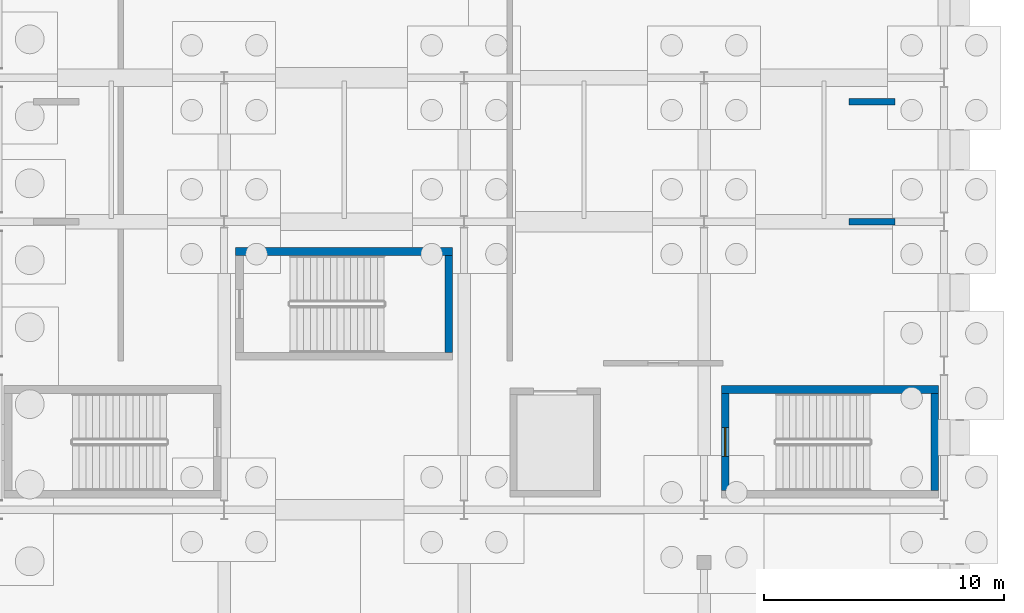
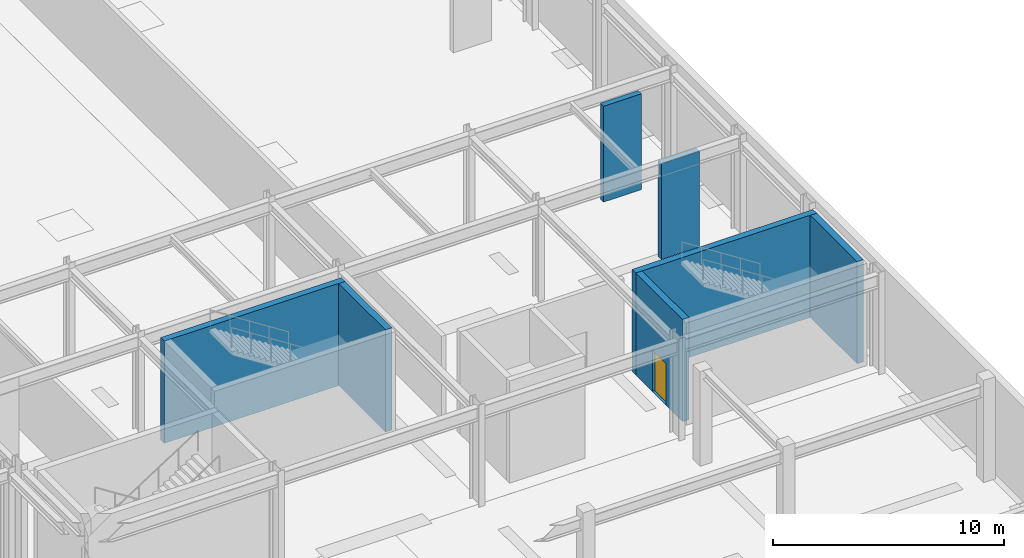
# One storey, part 47 of 65: 7 walls, 1 door, 1 opening.
"""IFC4 building model written with IfcOpenShell, lengths in metres."""

import ifcopenshell
import ifcopenshell.guid

model = None  # the IFC model being written
_history = None  # IfcOwnerHistory: only IFC2X3 demands one
_inside = {}  # id of a spatial element -> (the spatial element, [elements in it])
_under = {}  # id of a project, library or spatial element -> (it, [spatial elements below it])
_declared = {}  # id of a project -> (the project, [libraries it declares])
_typed = {}  # id of a type object -> (the type object, [elements of that type])
_made_of = {}  # id of a material, layer set ... -> (it, [elements and type objects made of it])


def new_model(schema):
    """Start an empty IFC model of exactly this schema.

    Asked for "IFC4X3", IfcOpenShell would pick the latest addendum, in which some entities
    have other attributes; the version numbers below select the first issue.
    IFC2X3 requires an IfcOwnerHistory on every rooted entity: one is made here for all.
    """
    global model, _history
    if schema == "IFC4X3":
        model = ifcopenshell.file(schema_version=(4, 3, 0, 0))
    else:
        model = ifcopenshell.file(schema=schema)
    _inside.clear()
    _under.clear()
    _declared.clear()
    _typed.clear()
    _made_of.clear()
    _history = None
    if model.schema == "IFC2X3":
        org = make("IfcOrganization", Name="unknown")
        user = make(
            "IfcPersonAndOrganization",
            ThePerson=make("IfcPerson", FamilyName="unknown"),
            TheOrganization=org,
        )
        app = make(
            "IfcApplication",
            ApplicationDeveloper=org,
            Version="unknown",
            ApplicationFullName="unknown",
            ApplicationIdentifier="unknown",
        )
        _history = make(
            "IfcOwnerHistory",
            OwningUser=user,
            OwningApplication=app,
            ChangeAction="ADDED",
            CreationDate=0,
        )
    return model


def make(cls, **values):
    """One entity of the class cls with the attributes given. An attribute that is None is left unset."""
    return model.create_entity(
        cls, **{name: value for name, value in values.items() if value is not None}
    )


def rooted(cls, **values):
    """An entity with a GlobalId (a new one), such as an element, a storey or a relation."""
    return make(cls, GlobalId=ifcopenshell.guid.new(), OwnerHistory=_history, **values)


def si_unit(unit_type, name, prefix=None):
    """IfcSIUnit, for example si_unit("LENGTHUNIT", "METRE", prefix="MILLI")."""
    return make("IfcSIUnit", UnitType=unit_type, Prefix=prefix, Name=name)


def assignment(units):
    """IfcUnitAssignment: the units of a project."""
    return None if units is None else make("IfcUnitAssignment", Units=units)


def point(xyz):
    """IfcCartesianPoint."""
    return None if xyz is None else make("IfcCartesianPoint", Coordinates=xyz)


def direction(xyz):
    """IfcDirection."""
    return None if xyz is None else make("IfcDirection", DirectionRatios=xyz)


def frame(location, z_axis=None, x_axis=None):
    """IfcAxis2Placement3D, a coordinate frame: its origin and axes. An axis left out is left unset."""
    return make(
        "IfcAxis2Placement3D",
        Location=point(location),
        Axis=direction(z_axis),
        RefDirection=direction(x_axis),
    )


def frame_2d(location, x_axis=None):
    """IfcAxis2Placement2D, a coordinate frame in the plane: its origin and x axis."""
    return make(
        "IfcAxis2Placement2D", Location=point(location), RefDirection=direction(x_axis)
    )


def origin():
    """The frame at (0, 0, 0) with its axes left unset."""
    return frame((0.0, 0.0, 0.0))


def place(relative_to, where):
    """IfcLocalPlacement: puts the frame where relative to a parent placement (None: the world)."""
    return make(
        "IfcLocalPlacement", PlacementRelTo=relative_to, RelativePlacement=where
    )


def context(
    kind, dimensions, precision=None, world=None, true_north=None, identifier=None
):
    """IfcGeometricRepresentationContext, for example the 3D "Model" context."""
    return make(
        "IfcGeometricRepresentationContext",
        ContextIdentifier=identifier,
        ContextType=kind,
        CoordinateSpaceDimension=dimensions,
        Precision=precision,
        WorldCoordinateSystem=world,
        TrueNorth=true_north,
    )


def subcontext(parent, identifier, kind, view, scale=None):
    """IfcGeometricRepresentationSubContext, for example "Body" below "Model"."""
    return make(
        "IfcGeometricRepresentationSubContext",
        ContextIdentifier=identifier,
        ContextType=kind,
        ParentContext=parent,
        TargetScale=scale,
        TargetView=view,
    )


def project(units=None, contexts=None):
    """IfcProject with its units and contexts."""
    return rooted(
        "IfcProject",
        Name="project",
        RepresentationContexts=contexts,
        UnitsInContext=assignment(units),
    )


def spatial(cls, under=None, at=None, **own):
    """A site, building, storey or space (cls), placed at a placement, below another one or the project."""
    s = rooted(cls, ObjectPlacement=at, **own)
    if under is not None:
        _under.setdefault(under.id(), (under, []))[1].append(s)
    return s


def profile(cls, at=None, kind="AREA", **sizes):
    """A parametric profile (cls). Its sizes go by their IFC names, for example OverallWidth=200.0."""
    return make(cls, ProfileType=kind, Position=at, **sizes)


def rectangle(**sizes):
    """IfcRectangleProfileDef."""
    return profile("IfcRectangleProfileDef", **sizes)


def extrude(swept, where, along, depth):
    """IfcExtrudedAreaSolid: the profile swept, set in the frame where, extruded along a direction by depth."""
    return make(
        "IfcExtrudedAreaSolid",
        SweptArea=swept,
        Position=where,
        ExtrudedDirection=direction(along),
        Depth=depth,
    )


def shape(context_of_items, identifier, shape_type, items):
    """IfcShapeRepresentation: the items that make up one representation, for example the "Body"."""
    return make(
        "IfcShapeRepresentation",
        ContextOfItems=context_of_items,
        RepresentationIdentifier=identifier,
        RepresentationType=shape_type,
        Items=items,
    )


def material(Name=None, Category=None):
    """IfcMaterial."""
    return make("IfcMaterial", Name=Name, Category=Category)


def layer(
    of_material, thickness, ventilated=None, Name=None, Category=None, Priority=None
):
    """IfcMaterialLayer: one layer of a wall or slab, of a material (None: an air gap)."""
    return make(
        "IfcMaterialLayer",
        Material=of_material,
        LayerThickness=thickness,
        IsVentilated=ventilated,
        Name=Name,
        Category=Category,
        Priority=Priority,
    )


def layer_set(layers, Name=None):
    """IfcMaterialLayerSet."""
    return make("IfcMaterialLayerSet", MaterialLayers=layers, LayerSetName=Name)


def made_of(thing, what):
    """Note that an element or type object is made of a material, layer set ...; save() writes the relation."""
    if what is not None:
        _made_of.setdefault(what.id(), (what, []))[1].append(thing)
    return thing


def type_object(cls, material=None, **own):
    """A type object (cls), such as IfcWallType, which elements share."""
    return made_of(rooted(cls, **own), material)


def element(
    cls,
    number,
    at=None,
    inside=None,
    cuts=None,
    type_object=None,
    material=None,
    context=None,
    identifier="Body",
    shape_type=None,
    held_by="IfcProductDefinitionShape",
    body=None,
    shapes=None,
    **own,
):
    """One element of the class cls, such as IfcWall. Its Tag is "e" and its number.

    at: its placement. inside: the storey or other place that contains it. cuts: it is an
    opening in that element (IfcRelVoidsElement). A single representation is given by context,
    identifier, shape_type and body (its items); several are given by shapes. held_by: the class
    of the entity that holds the representations. save() writes the other relations.
    """
    e = rooted(cls, Tag="e%d" % number, ObjectPlacement=at, **own)
    if body is not None:
        shapes = [shape(context, identifier, shape_type, body)]
    if shapes is not None:
        e.Representation = make(held_by, Representations=shapes)
    if inside is not None:
        _inside.setdefault(inside.id(), (inside, []))[1].append(e)
    if cuts is not None:
        rooted(
            "IfcRelVoidsElement", RelatingBuildingElement=cuts, RelatedOpeningElement=e
        )
    if type_object is not None:
        _typed.setdefault(type_object.id(), (type_object, []))[1].append(e)
    return made_of(e, material)


def fill(opening, filler):
    """IfcRelFillsElement: the door or window that sits in an opening."""
    return rooted(
        "IfcRelFillsElement",
        RelatingOpeningElement=opening,
        RelatedBuildingElement=filler,
    )


def aggregate(whole, parts):
    """IfcRelAggregates: a whole, such as a stair, and the parts it consists of."""
    return rooted("IfcRelAggregates", RelatingObject=whole, RelatedObjects=parts)


def save(model, path):
    """Write the relations noted so far, then the file.

    IfcRelAggregates (storeys below a building ...), IfcRelContainedInSpatialStructure (elements
    in a storey), IfcRelDefinesByType, IfcRelAssociatesMaterial and IfcRelDeclares: one each for
    every whole, place, type object, material and project.
    """
    for whole, parts in _under.values():
        aggregate(whole, parts)
    for where, things in _inside.values():
        rooted(
            "IfcRelContainedInSpatialStructure",
            RelatedElements=things,
            RelatingStructure=where,
        )
    for kind, things in _typed.values():
        rooted("IfcRelDefinesByType", RelatedObjects=things, RelatingType=kind)
    for what, things in _made_of.values():
        rooted("IfcRelAssociatesMaterial", RelatedObjects=things, RelatingMaterial=what)
    for by, libraries in _declared.values():
        rooted("IfcRelDeclares", RelatingContext=by, RelatedDefinitions=libraries)
    model.write(path)


model = new_model("IFC4")

# Units and contexts
model_context = context("Model", 3, precision=1e-05, world=origin(), true_north=direction((0.0, 1.0)))
body_context = subcontext(model_context, "Body", "Model", "MODEL_VIEW")
ifc_project = project(units=[si_unit("LENGTHUNIT", "METRE"), si_unit("AREAUNIT", "SQUARE_METRE"), si_unit("VOLUMEUNIT", "CUBIC_METRE"), si_unit("PLANEANGLEUNIT", "RADIAN"), si_unit("MASSUNIT", "GRAM", prefix="KILO")], contexts=[model_context])

# Site, building, storey
site_placement = place(None, origin())
site = spatial("IfcSite", under=ifc_project, at=site_placement, CompositionType="ELEMENT")
building_placement = place(site_placement, origin())
building = spatial("IfcBuilding", under=site, at=building_placement, Name="Kaldris Quays Convention Centre", CompositionType="ELEMENT")
storey_placement = place(building_placement, frame((0.0, 0.0, -5.39990234375)))
storey = spatial("IfcBuildingStorey", under=building, at=storey_placement, Name="B1", CompositionType="ELEMENT", Elevation=-5.39990234375)

# Wall
ifc_material_1 = material(Name="Concrete C40/50", Category="concrete")
ifc_layer_1 = layer(ifc_material_1, 0.320068359375)
ifc_layer_set_1 = layer_set([ifc_layer_1], Name="Concrete C40/50")
wall_type_1 = type_object("IfcWallType", Name="STRUCTURAL WALL SW02", PredefinedType="SHEAR", material=ifc_layer_set_1)
wall_1_placement = place(storey_placement, frame((194.72998046875, 61.010009765625, 0.0), z_axis=(0.0, 0.0, 1.0), x_axis=(1.0, 0.0, 0.0)))
element("IfcWall", 1, at=wall_1_placement, inside=storey, type_object=wall_type_1, Name="B1 Core Shear Wall CORE-ST09-B1-N", PredefinedType="SHEAR", context=body_context, shape_type="SweptSolid", body=[
    extrude(rectangle(XDim=9.0400390625, YDim=0.320068359375, at=frame_2d((4.52001953125, 0.0))), origin(), (0.0, 0.0, 1.0), 5.39990234375),
])

# Wall, opening, door
wall_2_placement = place(storey_placement, frame((194.889892578125, 56.800048828125, 0.0), z_axis=(0.0, 0.0, 1.0), x_axis=(0.0, 1.0, 0.0)))
wall_2 = element("IfcWall", 2, at=wall_2_placement, inside=storey, type_object=wall_type_1, Name="B1 Core Shear Wall CORE-ST09-B1-W", PredefinedType="SHEAR", context=body_context, shape_type="SweptSolid", body=[
    extrude(rectangle(XDim=4.050048828125, YDim=0.320068359375, at=frame_2d((2.02490234375, 0.0))), origin(), (0.0, 0.0, 1.0), 5.39990234375),
])
opening_placement = place(wall_2_placement, frame((1.425048828125, 0.0, 0.0)))
opening = element("IfcOpeningElement", 3, at=opening_placement, cuts=wall_2, Name="Opening ID03", PredefinedType="OPENING", context=body_context, shape_type="SweptSolid", body=[
    extrude(rectangle(XDim=1.199951171875, YDim=2.199951171875, at=frame_2d((0.60009765625, 1.10009765625))), frame((0.0, 0.169921875, 0.0), z_axis=(0.0, -1.0, 0.0), x_axis=(1.0, 0.0, 0.0)), (0.0, 0.0, 1.0), 0.340087890625),
])
ifc_material_2 = material(Name="Steel S355J2 fire-resisting door", Category="steel")
door_type = type_object("IfcDoorType", Name="INTERIOR DOOR ID03", OperationType="NOTDEFINED", PredefinedType="DOOR", material=ifc_material_2)
door_placement = place(opening_placement, frame((1.199951171875, 0.0, 0.0), z_axis=(0.0, 0.0, 1.0), x_axis=(-1.0, 0.0, 0.0)))
door = element("IfcDoor", 4, at=door_placement, inside=storey, type_object=door_type, Name="B1 Escape Stair ST09 Fire Door", OperationType="SINGLE_SWING_RIGHT", OverallHeight=2.199951171875, OverallWidth=1.199951171875, PredefinedType="DOOR", context=body_context, shape_type="SweptSolid", body=[
    extrude(rectangle(XDim=1.199951171875, YDim=2.199951171875, at=frame_2d((0.60009765625, 1.10009765625))), frame((0.0, 0.02490234375, 0.0), z_axis=(0.0, -1.0, 0.0), x_axis=(1.0, 0.0, 0.0)), (0.0, 0.0, 1.0), 0.050048828125),
])
fill(opening, door)

# Walls
wall_3_placement = place(storey_placement, frame((203.610107421875, 56.800048828125, 0.0), z_axis=(0.0, 0.0, 1.0), x_axis=(0.0, 1.0, 0.0)))
element("IfcWall", 5, at=wall_3_placement, inside=storey, type_object=wall_type_1, Name="B1 Core Shear Wall CORE-ST09-B1-E", PredefinedType="SHEAR", context=body_context, shape_type="SweptSolid", body=[
    extrude(rectangle(XDim=4.050048828125, YDim=0.320068359375, at=frame_2d((2.02490234375, 0.0))), origin(), (0.0, 0.0, 1.0), 5.39990234375),
])
wall_4_placement = place(storey_placement, frame((174.47998046875, 66.760009765625, 0.0), z_axis=(0.0, 0.0, 1.0), x_axis=(1.0, 0.0, 0.0)))
element("IfcWall", 6, at=wall_4_placement, inside=storey, type_object=wall_type_1, Name="B1 Core Shear Wall CORE-ST10-B1-N", PredefinedType="SHEAR", context=body_context, shape_type="SweptSolid", body=[
    extrude(rectangle(XDim=9.0400390625, YDim=0.320068359375, at=frame_2d((4.52001953125, 0.0))), origin(), (0.0, 0.0, 1.0), 5.39990234375),
])
wall_5_placement = place(storey_placement, frame((183.360107421875, 62.550048828125, 0.0), z_axis=(0.0, 0.0, 1.0), x_axis=(0.0, 1.0, 0.0)))
element("IfcWall", 7, at=wall_5_placement, inside=storey, type_object=wall_type_1, Name="B1 Core Shear Wall CORE-ST10-B1-E", PredefinedType="SHEAR", context=body_context, shape_type="SweptSolid", body=[
    extrude(rectangle(XDim=4.050048828125, YDim=0.320068359375, at=frame_2d((2.02490234375, 0.0))), origin(), (0.0, 0.0, 1.0), 5.39990234375),
])
ifc_layer_2 = layer(ifc_material_1, 0.280029296875)
ifc_layer_set_2 = layer_set([ifc_layer_2], Name="Concrete C40/50")
wall_type_2 = type_object("IfcWallType", Name="STRUCTURAL WALL SW03", PredefinedType="SHEAR", material=ifc_layer_set_2)
for number, where, z_axis, x_axis, name in (
    (8, (200.050048828125, 68.0, 0.0), (0.0, 0.0, 1.0), (1.0, 0.0, 0.0), "B1 Accessible Ramp Support Wall 4A"),
    (9, (200.050048828125, 73.0, 0.0), (0.0, 0.0, 1.0), (1.0, 0.0, 0.0), "B1 Accessible Ramp Support Wall 4B"),
):
    element("IfcWall", number, at=place(storey_placement, frame(where, z_axis=z_axis, x_axis=x_axis)), inside=storey, type_object=wall_type_2, Name=name, PredefinedType="SHEAR", context=body_context, shape_type="SweptSolid", body=[
        extrude(rectangle(XDim=1.89990234375, YDim=0.280029296875, at=frame_2d((0.949951171875, 0.0))), origin(), (0.0, 0.0, 1.0), 5.06201171875),
    ])

save(model, "model.ifc")
